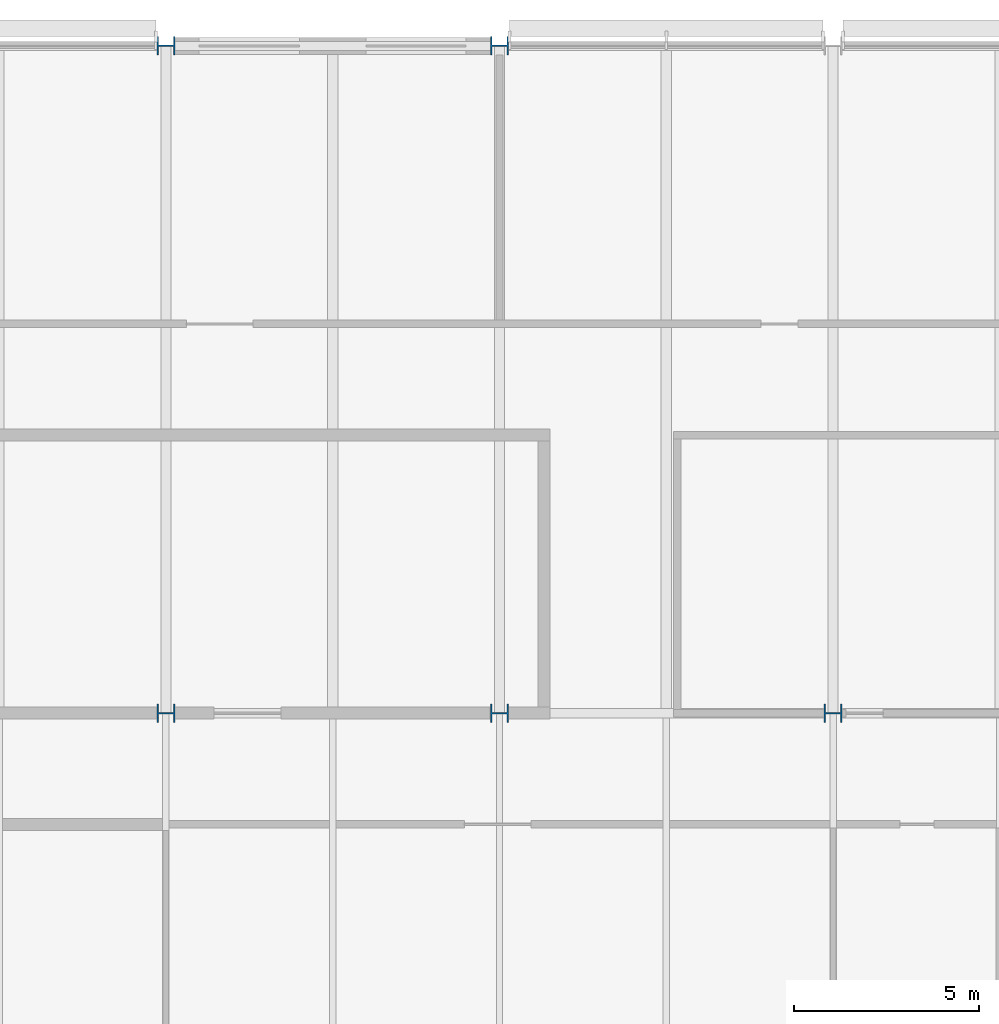
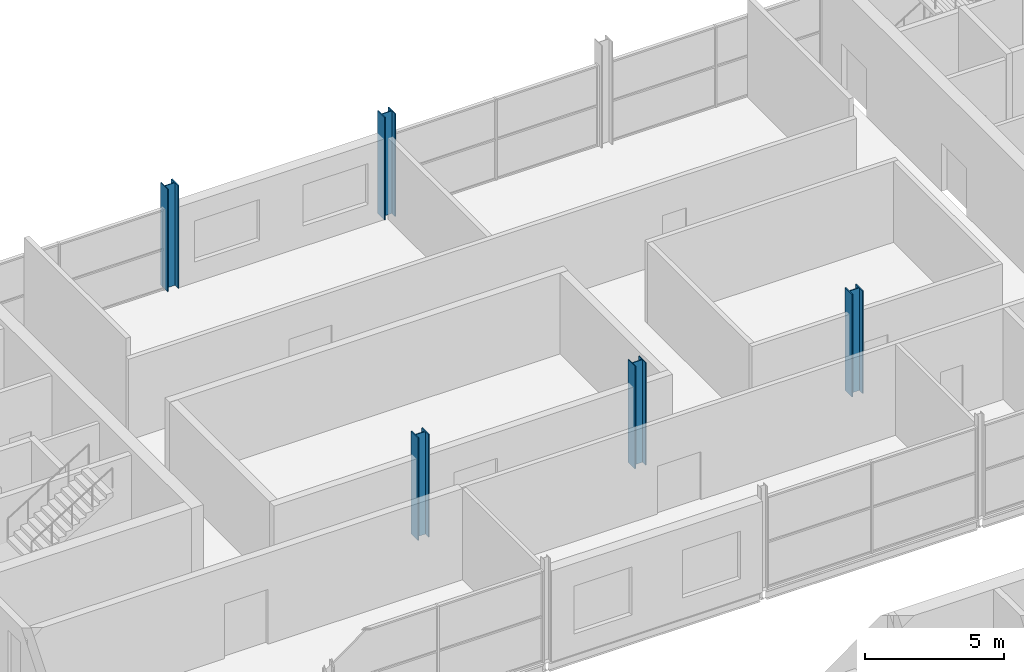
# One storey, part 14 of 138: 5 columns.
"""IFC4 building model written with IfcOpenShell, lengths in metres."""

from ifc_helpers import new_model, si_unit, direction, frame, origin, origin_2d, place, context, subcontext, project, spatial, i_section, extrude, material, material_profile, profile_set, type_object, element, save


model = new_model("IFC4")

# Units and contexts
model_context = context("Model", 3, precision=1e-05, world=origin(), true_north=direction((0.0, 1.0)))
body_context = subcontext(model_context, "Body", "Model", "MODEL_VIEW")
ifc_project = project(units=[si_unit("LENGTHUNIT", "METRE"), si_unit("AREAUNIT", "SQUARE_METRE"), si_unit("VOLUMEUNIT", "CUBIC_METRE"), si_unit("PLANEANGLEUNIT", "RADIAN"), si_unit("MASSUNIT", "GRAM", prefix="KILO")], contexts=[model_context])

# Site, building, storey
site_placement = place(None, origin())
site = spatial("IfcSite", under=ifc_project, at=site_placement, CompositionType="ELEMENT")
building_placement = place(site_placement, origin())
building = spatial("IfcBuilding", under=site, at=building_placement, Name="Corbel Yard City Hall", CompositionType="ELEMENT")
storey_placement = place(building_placement, frame((0.0, 0.0, 10.5)))
storey = spatial("IfcBuildingStorey", under=building, at=storey_placement, Name="L02", CompositionType="ELEMENT", Elevation=10.5)

# Columns
ifc_material = material(Name="Steel Grade 350", Category="steel")
ifc_material_profile = material_profile(ifc_material, i_section(OverallWidth=0.5, OverallDepth=0.47998046875, WebThickness=0.0400390625, FlangeThickness=0.0400390625, at=origin_2d()), Name="500WC440")
ifc_profile_set = profile_set([ifc_material_profile], Name="Steel Grade 350")
column_type = type_object("IfcColumnType", Name="Column 500WC440", PredefinedType="COLUMN", material=ifc_profile_set)
for number, where, z_axis, x_axis, name in (
    (1, (18.0, 99.0, 0.0), (0.0, 0.0, 1.0), (0.0, 1.0, 0.0), "Column 500WC440 L/3 L02"),
    (2, (18.0, 117.0, 0.0), (0.0, 0.0, 1.0), (0.0, 1.0, 0.0), "Column 500WC440 N/3 L02"),
    (3, (27.0, 99.0, 0.0), (0.0, 0.0, 1.0), (0.0, 1.0, 0.0), "Column 500WC440 L/4 L02"),
    (4, (27.0, 117.0, 0.0), (0.0, 0.0, 1.0), (0.0, 1.0, 0.0), "Column 500WC440 N/4 L02"),
    (5, (36.0, 99.0, 0.0), (0.0, 0.0, 1.0), (0.0, 1.0, 0.0), "Column 500WC440 L/5 L02"),
):
    element("IfcColumn", number, at=place(storey_placement, frame(where, z_axis=z_axis, x_axis=x_axis)), inside=storey, type_object=column_type, Name=name, PredefinedType="COLUMN", context=body_context, shape_type="SweptSolid", body=[
        extrude(i_section(OverallWidth=0.5, OverallDepth=0.47998046875, WebThickness=0.0400390625, FlangeThickness=0.0400390625, at=origin_2d()), origin(), (0.0, 0.0, 1.0), 4.5),
    ])

save(model, "model.ifc")
